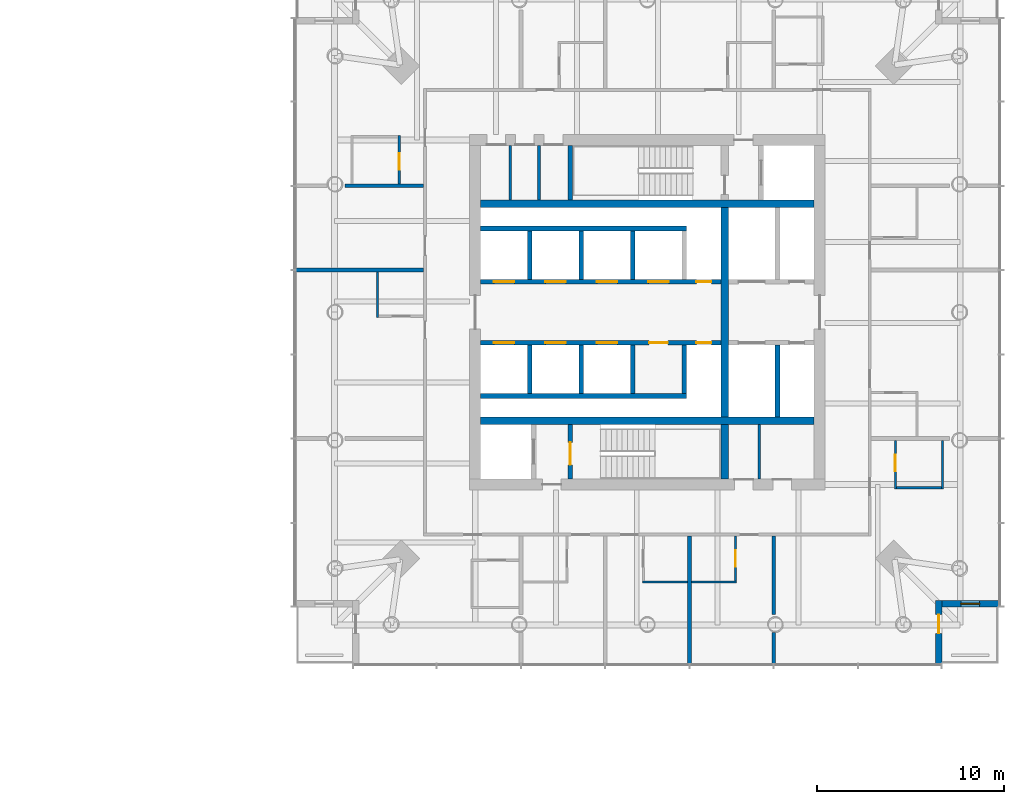
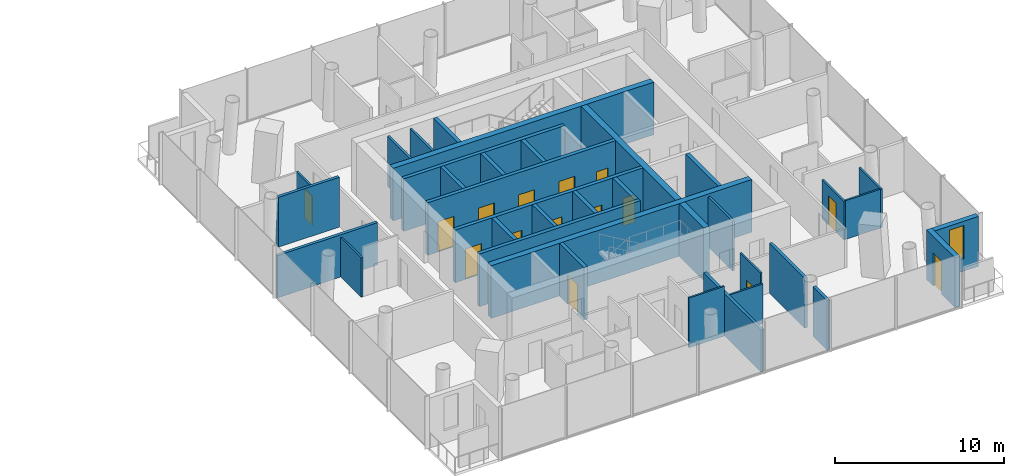
# One storey, part 13 of 18: 36 walls, 15 doors, 1 window, 16 openings.
"""IFC4 building model written with IfcOpenShell, lengths in metres."""

from ifc_helpers import new_model, si_unit, direction, frame, frame_2d, origin, place, context, subcontext, project, spatial, rectangle, extrude, material, layer, layer_set, type_object, element, fill, save


model = new_model("IFC4")

# Units and contexts
model_context = context("Model", 3, precision=1e-05, world=origin(), true_north=direction((0.0, 1.0)))
body_context = subcontext(model_context, "Body", "Model", "MODEL_VIEW")
ifc_project = project(units=[si_unit("LENGTHUNIT", "METRE"), si_unit("AREAUNIT", "SQUARE_METRE"), si_unit("VOLUMEUNIT", "CUBIC_METRE"), si_unit("PLANEANGLEUNIT", "RADIAN"), si_unit("MASSUNIT", "GRAM", prefix="KILO")], contexts=[model_context])

# Site, building, storey
site_placement = place(None, origin())
site = spatial("IfcSite", under=ifc_project, at=site_placement, CompositionType="ELEMENT")
building_placement = place(site_placement, origin())
building = spatial("IfcBuilding", under=site, at=building_placement, Name="Ostroluk Exchange", CompositionType="ELEMENT")
storey_placement = place(building_placement, frame((0.0, 0.0, 74.199951171875)))
storey = spatial("IfcBuildingStorey", under=building, at=storey_placement, Name="L18", CompositionType="ELEMENT", Elevation=74.199951171875)

# Walls
ifc_material_1 = material(Name="Concrete blockwork", Category="masonry")
ifc_layer_1 = layer(ifc_material_1, 0.14990234375)
ifc_layer_set_1 = layer_set([ifc_layer_1], Name="Blockwork plant room wall 150")
wall_type_1 = type_object("IfcWallType", Name="Blockwork plant room wall 150", PredefinedType="SOLIDWALL", material=ifc_layer_set_1)
for number, where, z_axis, x_axis, name in (
    (1, (122.97509765625, 37.10009765625, 0.0), (0.0, 0.0, 1.0), (0.0, 1.0, 0.0), "Core room wall"),
    (2, (109.680908203125, 52.0, 0.0), (0.0, 0.0, 1.0), (0.0, 1.0, 0.0), "Core room wall"),
    (3, (111.215576171875, 52.0, 0.0), (0.0, 0.0, 1.0), (0.0, 1.0, 0.0), "Core room wall"),
):
    element("IfcWall", number, at=place(storey_placement, frame(where, z_axis=z_axis, x_axis=x_axis)), inside=storey, type_object=wall_type_1, Name=name, PredefinedType="SOLIDWALL", context=body_context, shape_type="SweptSolid", body=[
        extrude(rectangle(XDim=2.89990234375, YDim=0.14990234375, at=frame_2d((1.449951171875, 0.0))), origin(), (0.0, 0.0, 1.0), 3.60009765625),
    ])
ifc_material_2 = material(Name="Concrete C50/60", Category="concrete")
ifc_layer_2 = layer(ifc_material_2, 0.39990234375)
ifc_layer_set_2 = layer_set([ifc_layer_2], Name="Core cross wall 400 C50/60")
wall_type_2 = type_object("IfcWallType", Name="Core cross wall 400 C50/60", PredefinedType="SHEAR", material=ifc_layer_set_2)
for number, where, z_axis, x_axis, name in (
    (4, (108.10009765625, 40.199951171875, 0.0), (0.0, 0.0, 1.0), (1.0, 0.0, 0.0), "T2 core wall XS"),
    (5, (108.10009765625, 51.800048828125, 0.0), (0.0, 0.0, 1.0), (1.0, 0.0, 0.0), "T2 core wall XN"),
):
    element("IfcWall", number, at=place(storey_placement, frame(where, z_axis=z_axis, x_axis=x_axis)), inside=storey, type_object=wall_type_2, Name=name, PredefinedType="SHEAR", context=body_context, shape_type="SweptSolid", body=[
        extrude(rectangle(XDim=17.7998046875, YDim=0.39990234375, at=frame_2d((8.89990234375, 0.0))), origin(), (0.0, 0.0, 1.0), 3.800048828125),
    ])
wall_1_placement = place(storey_placement, frame((121.1298828125, 37.10009765625, 0.0), z_axis=(0.0, 0.0, 1.0), x_axis=(0.0, 1.0, 0.0)))
element("IfcWall", 6, at=wall_1_placement, inside=storey, type_object=wall_type_2, Name="T2 core wall YE1", PredefinedType="SHEAR", context=body_context, shape_type="SweptSolid", body=[
    extrude(rectangle(XDim=2.89990234375, YDim=0.39990234375, at=frame_2d((1.449951171875, 0.0))), origin(), (0.0, 0.0, 1.0), 3.800048828125),
])
wall_2_placement = place(storey_placement, frame((121.1298828125, 40.39990234375, 0.0), z_axis=(0.0, 0.0, 1.0), x_axis=(0.0, 1.0, 0.0)))
element("IfcWall", 7, at=wall_2_placement, inside=storey, type_object=wall_type_2, Name="T2 core wall YE2", PredefinedType="SHEAR", context=body_context, shape_type="SweptSolid", body=[
    extrude(rectangle(XDim=11.2001953125, YDim=0.39990234375, at=frame_2d((5.60009765625, 0.0))), origin(), (0.0, 0.0, 1.0), 3.800048828125),
])

# Wall, opening, door
ifc_material_3 = material(Name="Concrete C40/50", Category="concrete")
ifc_layer_3 = layer(ifc_material_3, 0.25)
ifc_layer_set_3 = layer_set([ifc_layer_3], Name="Core shaft wall 250")
wall_type_3 = type_object("IfcWallType", Name="Core shaft wall 250", PredefinedType="SHEAR", material=ifc_layer_set_3)
wall_3_placement = place(storey_placement, frame((112.875, 37.10009765625, 0.0), z_axis=(0.0, 0.0, 1.0), x_axis=(0.0, 1.0, 0.0)))
wall_3 = element("IfcWall", 8, at=wall_3_placement, inside=storey, type_object=wall_type_3, Name="Stair shaft wall", PredefinedType="SHEAR", context=body_context, shape_type="SweptSolid", body=[
    extrude(rectangle(XDim=2.89990234375, YDim=0.25, at=frame_2d((1.449951171875, 0.0))), origin(), (0.0, 0.0, 1.0), 3.800048828125),
])
opening_1_placement = place(wall_3_placement, frame((0.75, 0.0, 0.0)))
opening_1 = element("IfcOpeningElement", 9, at=opening_1_placement, cuts=wall_3, Name="Opening FD60S", PredefinedType="OPENING", context=body_context, shape_type="SweptSolid", body=[
    extrude(rectangle(XDim=1.199951171875, YDim=2.10009765625, at=frame_2d((0.60009765625, 1.050048828125))), frame((0.0, 0.135009765625, 0.0), z_axis=(0.0, -1.0, 0.0), x_axis=(1.0, 0.0, 0.0)), (0.0, 0.0, 1.0), 0.27001953125),
])
ifc_material_4 = material(Name="Steel", Category="steel")
door_type_1 = type_object("IfcDoorType", Name="Stair door EI 60 1200 x 2100", OperationType="SINGLE_SWING_LEFT", PredefinedType="DOOR", material=ifc_material_4)
door_1_placement = place(opening_1_placement, origin())
door_1 = element("IfcDoor", 10, at=door_1_placement, inside=storey, type_object=door_type_1, Name="Stair T2-S1 door", OperationType="SINGLE_SWING_LEFT", OverallHeight=2.10009765625, OverallWidth=1.199951171875, PredefinedType="DOOR", context=body_context, shape_type="SweptSolid", body=[
    extrude(rectangle(XDim=1.199951171875, YDim=2.10009765625, at=frame_2d((0.60009765625, 1.050048828125))), frame((0.0, 0.02490234375, 0.0), z_axis=(0.0, -1.0, 0.0), x_axis=(1.0, 0.0, 0.0)), (0.0, 0.0, 1.0), 0.050048828125),
])
fill(opening_1, door_1)

# Walls
wall_4_placement = place(storey_placement, frame((112.875, 52.0, 0.0), z_axis=(0.0, 0.0, 1.0), x_axis=(0.0, 1.0, 0.0)))
element("IfcWall", 11, at=wall_4_placement, inside=storey, type_object=wall_type_3, Name="Stair shaft wall", PredefinedType="SHEAR", context=body_context, shape_type="SweptSolid", body=[
    extrude(rectangle(XDim=2.89990234375, YDim=0.25, at=frame_2d((1.449951171875, 0.0))), origin(), (0.0, 0.0, 1.0), 3.800048828125),
])
for number, where, z_axis, x_axis, name in (
    (12, (110.72509765625, 47.75, 0.0), (0.0, 0.0, 1.0), (0.0, 1.0, 0.0), "Lift shaft wall"),
    (13, (113.47509765625, 47.75, 0.0), (0.0, 0.0, 1.0), (0.0, 1.0, 0.0), "Lift shaft wall"),
    (14, (116.22509765625, 47.75, 0.0), (0.0, 0.0, 1.0), (0.0, 1.0, 0.0), "Lift shaft wall"),
):
    element("IfcWall", number, at=place(storey_placement, frame(where, z_axis=z_axis, x_axis=x_axis)), inside=storey, type_object=wall_type_3, Name=name, PredefinedType="SHEAR", context=body_context, shape_type="SweptSolid", body=[
        extrude(rectangle(XDim=2.60009765625, YDim=0.25, at=frame_2d((1.300048828125, 0.0))), origin(), (0.0, 0.0, 1.0), 3.800048828125),
    ])
wall_5_placement = place(storey_placement, frame((108.10009765625, 50.47509765625, 0.0), z_axis=(0.0, 0.0, 1.0), x_axis=(1.0, 0.0, 0.0)))
element("IfcWall", 15, at=wall_5_placement, inside=storey, type_object=wall_type_3, Name="Lift shaft wall", PredefinedType="SHEAR", context=body_context, shape_type="SweptSolid", body=[
    extrude(rectangle(XDim=11.0, YDim=0.25, at=frame_2d((5.5, 0.0))), origin(), (0.0, 0.0, 1.0), 3.800048828125),
])

# Wall, openings, doors
wall_6_placement = place(storey_placement, frame((108.10009765625, 47.625, 0.0), z_axis=(0.0, 0.0, 1.0), x_axis=(1.0, 0.0, 0.0)))
wall_6 = element("IfcWall", 16, at=wall_6_placement, inside=storey, type_object=wall_type_3, Name="Lift shaft front wall", PredefinedType="SHEAR", context=body_context, shape_type="SweptSolid", body=[
    extrude(rectangle(XDim=12.829833984375, YDim=0.25, at=frame_2d((6.4150390625, 0.0))), origin(), (0.0, 0.0, 1.0), 3.800048828125),
])
opening_2_placement = place(wall_6_placement, frame((0.699951171875, 0.0, 0.0)))
opening_2 = element("IfcOpeningElement", 17, at=opening_2_placement, cuts=wall_6, Name="Opening LD", PredefinedType="OPENING", context=body_context, shape_type="SweptSolid", body=[
    extrude(rectangle(XDim=1.10009765625, YDim=2.199951171875, at=frame_2d((0.550048828125, 1.10009765625))), frame((0.0, 0.135009765625, 0.0), z_axis=(0.0, -1.0, 0.0), x_axis=(1.0, 0.0, 0.0)), (0.0, 0.0, 1.0), 0.27001953125),
])
opening_3_placement = place(wall_6_placement, frame((3.449951171875, 0.0, 0.0)))
opening_3 = element("IfcOpeningElement", 18, at=opening_3_placement, cuts=wall_6, Name="Opening LD", PredefinedType="OPENING", context=body_context, shape_type="SweptSolid", body=[
    extrude(rectangle(XDim=1.10009765625, YDim=2.199951171875, at=frame_2d((0.550048828125, 1.10009765625))), frame((0.0, 0.135009765625, 0.0), z_axis=(0.0, -1.0, 0.0), x_axis=(1.0, 0.0, 0.0)), (0.0, 0.0, 1.0), 0.27001953125),
])
opening_4_placement = place(wall_6_placement, frame((6.199951171875, 0.0, 0.0)))
opening_4 = element("IfcOpeningElement", 19, at=opening_4_placement, cuts=wall_6, Name="Opening LD", PredefinedType="OPENING", context=body_context, shape_type="SweptSolid", body=[
    extrude(rectangle(XDim=1.10009765625, YDim=2.199951171875, at=frame_2d((0.550048828125, 1.10009765625))), frame((0.0, 0.135009765625, 0.0), z_axis=(0.0, -1.0, 0.0), x_axis=(1.0, 0.0, 0.0)), (0.0, 0.0, 1.0), 0.27001953125),
])
opening_5_placement = place(wall_6_placement, frame((8.949951171875, 0.0, 0.0)))
opening_5 = element("IfcOpeningElement", 20, at=opening_5_placement, cuts=wall_6, Name="Opening LD", PredefinedType="OPENING", context=body_context, shape_type="SweptSolid", body=[
    extrude(rectangle(XDim=1.10009765625, YDim=2.199951171875, at=frame_2d((0.550048828125, 1.10009765625))), frame((0.0, 0.135009765625, 0.0), z_axis=(0.0, -1.0, 0.0), x_axis=(1.0, 0.0, 0.0)), (0.0, 0.0, 1.0), 0.27001953125),
])
opening_6_placement = place(wall_6_placement, frame((11.514892578125, 0.0, 0.0)))
opening_6 = element("IfcOpeningElement", 21, at=opening_6_placement, cuts=wall_6, Name="Opening RD60", PredefinedType="OPENING", context=body_context, shape_type="SweptSolid", body=[
    extrude(rectangle(XDim=0.800048828125, YDim=2.0, at=frame_2d((0.39990234375, 1.0))), frame((0.0, 0.135009765625, 0.0), z_axis=(0.0, -1.0, 0.0), x_axis=(1.0, 0.0, 0.0)), (0.0, 0.0, 1.0), 0.27001953125),
])
ifc_material_5 = material(Name="Stainless steel", Category="steel")
door_type_2 = type_object("IfcDoorType", Name="Lift landing door E 60 1100 x 2200", OperationType="DOUBLE_DOOR_SLIDING", PredefinedType="DOOR", material=ifc_material_5)
door_2_placement = place(opening_2_placement, origin())
door_2 = element("IfcDoor", 22, at=door_2_placement, inside=storey, type_object=door_type_2, Name="Lift HL1 landing door", OperationType="DOUBLE_DOOR_SLIDING", OverallHeight=2.199951171875, OverallWidth=1.10009765625, PredefinedType="DOOR", context=body_context, shape_type="SweptSolid", body=[
    extrude(rectangle(XDim=1.10009765625, YDim=2.199951171875, at=frame_2d((0.550048828125, 1.10009765625))), frame((0.0, 0.02490234375, 0.0), z_axis=(0.0, -1.0, 0.0), x_axis=(1.0, 0.0, 0.0)), (0.0, 0.0, 1.0), 0.050048828125),
])
fill(opening_2, door_2)
door_3_placement = place(opening_3_placement, origin())
door_3 = element("IfcDoor", 23, at=door_3_placement, inside=storey, type_object=door_type_2, Name="Lift HL2 landing door", OperationType="DOUBLE_DOOR_SLIDING", OverallHeight=2.199951171875, OverallWidth=1.10009765625, PredefinedType="DOOR", context=body_context, shape_type="SweptSolid", body=[
    extrude(rectangle(XDim=1.10009765625, YDim=2.199951171875, at=frame_2d((0.550048828125, 1.10009765625))), frame((0.0, 0.02490234375, 0.0), z_axis=(0.0, -1.0, 0.0), x_axis=(1.0, 0.0, 0.0)), (0.0, 0.0, 1.0), 0.050048828125),
])
fill(opening_3, door_3)
door_4_placement = place(opening_4_placement, origin())
door_4 = element("IfcDoor", 24, at=door_4_placement, inside=storey, type_object=door_type_2, Name="Lift HL3 landing door", OperationType="DOUBLE_DOOR_SLIDING", OverallHeight=2.199951171875, OverallWidth=1.10009765625, PredefinedType="DOOR", context=body_context, shape_type="SweptSolid", body=[
    extrude(rectangle(XDim=1.10009765625, YDim=2.199951171875, at=frame_2d((0.550048828125, 1.10009765625))), frame((0.0, 0.02490234375, 0.0), z_axis=(0.0, -1.0, 0.0), x_axis=(1.0, 0.0, 0.0)), (0.0, 0.0, 1.0), 0.050048828125),
])
fill(opening_4, door_4)
door_5_placement = place(opening_5_placement, origin())
door_5 = element("IfcDoor", 25, at=door_5_placement, inside=storey, type_object=door_type_2, Name="Lift HL4 landing door", OperationType="DOUBLE_DOOR_SLIDING", OverallHeight=2.199951171875, OverallWidth=1.10009765625, PredefinedType="DOOR", context=body_context, shape_type="SweptSolid", body=[
    extrude(rectangle(XDim=1.10009765625, YDim=2.199951171875, at=frame_2d((0.550048828125, 1.10009765625))), frame((0.0, 0.02490234375, 0.0), z_axis=(0.0, -1.0, 0.0), x_axis=(1.0, 0.0, 0.0)), (0.0, 0.0, 1.0), 0.050048828125),
])
fill(opening_5, door_5)
ifc_material_6 = material(Name="Steel", Category="steel")
door_type_3 = type_object("IfcDoorType", Name="Riser access door EI 60 800 x 2000", OperationType="SINGLE_SWING_LEFT", PredefinedType="DOOR", material=ifc_material_6)
door_6_placement = place(opening_6_placement, origin())
door_6 = element("IfcDoor", 26, at=door_6_placement, inside=storey, type_object=door_type_3, Name="Riser access door", OperationType="SINGLE_SWING_RIGHT", OverallHeight=2.0, OverallWidth=0.800048828125, PredefinedType="DOOR", context=body_context, shape_type="SweptSolid", body=[
    extrude(rectangle(XDim=0.800048828125, YDim=2.0, at=frame_2d((0.39990234375, 1.0))), frame((0.0, 0.02490234375, 0.0), z_axis=(0.0, -1.0, 0.0), x_axis=(1.0, 0.0, 0.0)), (0.0, 0.0, 1.0), 0.050048828125),
])
fill(opening_6, door_6)

# Walls
for number, where, z_axis, x_axis, name in (
    (27, (110.72509765625, 44.25, 0.0), (0.0, 0.0, 1.0), (0.0, -1.0, 0.0), "Lift shaft wall"),
    (28, (113.47509765625, 44.25, 0.0), (0.0, 0.0, 1.0), (0.0, -1.0, 0.0), "Lift shaft wall"),
    (29, (116.22509765625, 44.25, 0.0), (0.0, 0.0, 1.0), (0.0, -1.0, 0.0), "Lift shaft wall"),
    (30, (118.97509765625, 44.25, 0.0), (0.0, 0.0, 1.0), (0.0, -1.0, 0.0), "Lift shaft wall"),
):
    element("IfcWall", number, at=place(storey_placement, frame(where, z_axis=z_axis, x_axis=x_axis)), inside=storey, type_object=wall_type_3, Name=name, PredefinedType="SHEAR", context=body_context, shape_type="SweptSolid", body=[
        extrude(rectangle(XDim=2.60009765625, YDim=0.25, at=frame_2d((1.300048828125, 0.0))), origin(), (0.0, 0.0, 1.0), 3.800048828125),
    ])
wall_7_placement = place(storey_placement, frame((108.10009765625, 41.52490234375, 0.0), z_axis=(0.0, 0.0, 1.0), x_axis=(1.0, 0.0, 0.0)))
element("IfcWall", 31, at=wall_7_placement, inside=storey, type_object=wall_type_3, Name="Lift shaft wall", PredefinedType="SHEAR", context=body_context, shape_type="SweptSolid", body=[
    extrude(rectangle(XDim=11.0, YDim=0.25, at=frame_2d((5.5, 0.0))), origin(), (0.0, 0.0, 1.0), 3.800048828125),
])

# Wall, openings, doors
wall_8_placement = place(storey_placement, frame((108.10009765625, 44.375, 0.0), z_axis=(0.0, 0.0, 1.0), x_axis=(1.0, 0.0, 0.0)))
wall_8 = element("IfcWall", 32, at=wall_8_placement, inside=storey, type_object=wall_type_3, Name="Lift shaft front wall", PredefinedType="SHEAR", context=body_context, shape_type="SweptSolid", body=[
    extrude(rectangle(XDim=12.829833984375, YDim=0.25, at=frame_2d((6.4150390625, 0.0))), origin(), (0.0, 0.0, 1.0), 3.800048828125),
])
opening_7_placement = place(wall_8_placement, frame((0.699951171875, 0.0, 0.0)))
opening_7 = element("IfcOpeningElement", 33, at=opening_7_placement, cuts=wall_8, Name="Opening LD", PredefinedType="OPENING", context=body_context, shape_type="SweptSolid", body=[
    extrude(rectangle(XDim=1.10009765625, YDim=2.199951171875, at=frame_2d((0.550048828125, 1.10009765625))), frame((0.0, 0.135009765625, 0.0), z_axis=(0.0, -1.0, 0.0), x_axis=(1.0, 0.0, 0.0)), (0.0, 0.0, 1.0), 0.27001953125),
])
opening_8_placement = place(wall_8_placement, frame((3.449951171875, 0.0, 0.0)))
opening_8 = element("IfcOpeningElement", 34, at=opening_8_placement, cuts=wall_8, Name="Opening LD", PredefinedType="OPENING", context=body_context, shape_type="SweptSolid", body=[
    extrude(rectangle(XDim=1.10009765625, YDim=2.199951171875, at=frame_2d((0.550048828125, 1.10009765625))), frame((0.0, 0.135009765625, 0.0), z_axis=(0.0, -1.0, 0.0), x_axis=(1.0, 0.0, 0.0)), (0.0, 0.0, 1.0), 0.27001953125),
])
opening_9_placement = place(wall_8_placement, frame((6.199951171875, 0.0, 0.0)))
opening_9 = element("IfcOpeningElement", 35, at=opening_9_placement, cuts=wall_8, Name="Opening LD", PredefinedType="OPENING", context=body_context, shape_type="SweptSolid", body=[
    extrude(rectangle(XDim=1.10009765625, YDim=2.199951171875, at=frame_2d((0.550048828125, 1.10009765625))), frame((0.0, 0.135009765625, 0.0), z_axis=(0.0, -1.0, 0.0), x_axis=(1.0, 0.0, 0.0)), (0.0, 0.0, 1.0), 0.27001953125),
])
opening_10_placement = place(wall_8_placement, frame((9.0, 0.0, 0.0)))
opening_10 = element("IfcOpeningElement", 36, at=opening_10_placement, cuts=wall_8, Name="Opening FD60", PredefinedType="OPENING", context=body_context, shape_type="SweptSolid", body=[
    extrude(rectangle(XDim=1.0, YDim=2.10009765625, at=frame_2d((0.5, 1.050048828125))), frame((0.0, 0.135009765625, 0.0), z_axis=(0.0, -1.0, 0.0), x_axis=(1.0, 0.0, 0.0)), (0.0, 0.0, 1.0), 0.27001953125),
])
opening_11_placement = place(wall_8_placement, frame((11.514892578125, 0.0, 0.0)))
opening_11 = element("IfcOpeningElement", 37, at=opening_11_placement, cuts=wall_8, Name="Opening RD60", PredefinedType="OPENING", context=body_context, shape_type="SweptSolid", body=[
    extrude(rectangle(XDim=0.800048828125, YDim=2.0, at=frame_2d((0.39990234375, 1.0))), frame((0.0, 0.135009765625, 0.0), z_axis=(0.0, -1.0, 0.0), x_axis=(1.0, 0.0, 0.0)), (0.0, 0.0, 1.0), 0.27001953125),
])
ifc_material_7 = material(Name="Steel", Category="steel")
door_type_4 = type_object("IfcDoorType", Name="Fire door EI 60 1000 x 2100", OperationType="SINGLE_SWING_LEFT", PredefinedType="DOOR", material=ifc_material_7)
door_7_placement = place(opening_10_placement, origin())
door_7 = element("IfcDoor", 38, at=door_7_placement, inside=storey, type_object=door_type_4, Name="Core room door", OperationType="SINGLE_SWING_RIGHT", OverallHeight=2.10009765625, OverallWidth=1.0, PredefinedType="DOOR", context=body_context, shape_type="SweptSolid", body=[
    extrude(rectangle(XDim=1.0, YDim=2.10009765625, at=frame_2d((0.5, 1.050048828125))), frame((0.0, 0.02490234375, 0.0), z_axis=(0.0, -1.0, 0.0), x_axis=(1.0, 0.0, 0.0)), (0.0, 0.0, 1.0), 0.050048828125),
])
fill(opening_10, door_7)
door_8_placement = place(opening_7_placement, origin())
door_8 = element("IfcDoor", 39, at=door_8_placement, inside=storey, type_object=door_type_2, Name="Lift HL5 landing door", OperationType="DOUBLE_DOOR_SLIDING", OverallHeight=2.199951171875, OverallWidth=1.10009765625, PredefinedType="DOOR", context=body_context, shape_type="SweptSolid", body=[
    extrude(rectangle(XDim=1.10009765625, YDim=2.199951171875, at=frame_2d((0.550048828125, 1.10009765625))), frame((0.0, 0.02490234375, 0.0), z_axis=(0.0, -1.0, 0.0), x_axis=(1.0, 0.0, 0.0)), (0.0, 0.0, 1.0), 0.050048828125),
])
fill(opening_7, door_8)
door_9_placement = place(opening_8_placement, origin())
door_9 = element("IfcDoor", 40, at=door_9_placement, inside=storey, type_object=door_type_2, Name="Lift HL6 landing door", OperationType="DOUBLE_DOOR_SLIDING", OverallHeight=2.199951171875, OverallWidth=1.10009765625, PredefinedType="DOOR", context=body_context, shape_type="SweptSolid", body=[
    extrude(rectangle(XDim=1.10009765625, YDim=2.199951171875, at=frame_2d((0.550048828125, 1.10009765625))), frame((0.0, 0.02490234375, 0.0), z_axis=(0.0, -1.0, 0.0), x_axis=(1.0, 0.0, 0.0)), (0.0, 0.0, 1.0), 0.050048828125),
])
fill(opening_8, door_9)
door_10_placement = place(opening_9_placement, origin())
door_10 = element("IfcDoor", 41, at=door_10_placement, inside=storey, type_object=door_type_2, Name="Lift HL7 landing door", OperationType="DOUBLE_DOOR_SLIDING", OverallHeight=2.199951171875, OverallWidth=1.10009765625, PredefinedType="DOOR", context=body_context, shape_type="SweptSolid", body=[
    extrude(rectangle(XDim=1.10009765625, YDim=2.199951171875, at=frame_2d((0.550048828125, 1.10009765625))), frame((0.0, 0.02490234375, 0.0), z_axis=(0.0, -1.0, 0.0), x_axis=(1.0, 0.0, 0.0)), (0.0, 0.0, 1.0), 0.050048828125),
])
fill(opening_9, door_10)
door_11_placement = place(opening_11_placement, origin())
door_11 = element("IfcDoor", 42, at=door_11_placement, inside=storey, type_object=door_type_3, Name="Riser access door", OperationType="SINGLE_SWING_RIGHT", OverallHeight=2.0, OverallWidth=0.800048828125, PredefinedType="DOOR", context=body_context, shape_type="SweptSolid", body=[
    extrude(rectangle(XDim=0.800048828125, YDim=2.0, at=frame_2d((0.39990234375, 1.0))), frame((0.0, 0.02490234375, 0.0), z_axis=(0.0, -1.0, 0.0), x_axis=(1.0, 0.0, 0.0)), (0.0, 0.0, 1.0), 0.050048828125),
])
fill(opening_11, door_11)

# Wall
wall_9_placement = place(storey_placement, frame((123.955078125, 44.25, 0.0), z_axis=(0.0, 0.0, 1.0), x_axis=(0.0, -1.0, 0.0)))
element("IfcWall", 43, at=wall_9_placement, inside=storey, type_object=wall_type_3, Name="Lift shaft wall", PredefinedType="SHEAR", context=body_context, shape_type="SweptSolid", body=[
    extrude(rectangle(XDim=3.85009765625, YDim=0.25, at=frame_2d((1.925048828125, 0.0))), origin(), (0.0, 0.0, 1.0), 3.800048828125),
])

# Wall, opening, door
ifc_material_8 = material(Name="Limestone", Category="masonry")
ifc_layer_4 = layer(ifc_material_8, 0.35009765625)
ifc_layer_set_4 = layer_set([ifc_layer_4], Name="Limestone facade wall 350")
wall_type_4 = type_object("IfcWallType", Name="Limestone facade wall 350", PredefinedType="SOLIDWALL", material=ifc_layer_set_4)
wall_10_placement = place(storey_placement, frame((132.574951171875, 27.25, 0.0), z_axis=(0.0, 0.0, 1.0), x_axis=(0.0, 1.0, 0.0)))
wall_10 = element("IfcWall", 44, at=wall_10_placement, inside=storey, type_object=wall_type_4, Name="Hotel tower SE corner wall L18 a", PredefinedType="SOLIDWALL", context=body_context, shape_type="SweptSolid", body=[
    extrude(rectangle(XDim=3.35009765625, YDim=0.35009765625, at=frame_2d((1.675048828125, 0.0))), origin(), (0.0, 0.0, 1.0), 3.60009765625),
])
opening_12_placement = place(wall_10_placement, frame((1.60009765625, 0.0, 0.0)))
opening_12 = element("IfcOpeningElement", 45, at=opening_12_placement, cuts=wall_10, Name="Opening D-B1", PredefinedType="OPENING", context=body_context, shape_type="SweptSolid", body=[
    extrude(rectangle(XDim=1.0, YDim=2.39990234375, at=frame_2d((0.5, 1.199951171875))), frame((0.0, 0.18505859375, 0.0), z_axis=(0.0, -1.0, 0.0), x_axis=(1.0, 0.0, 0.0)), (0.0, 0.0, 1.0), 0.3701171875),
])
ifc_material_9 = material(Name="Bronze framed glazed door", Category="aluminium")
door_type_5 = type_object("IfcDoorType", Name="Balcony door 1000 x 2400", OperationType="SINGLE_SWING_LEFT", PredefinedType="DOOR", material=ifc_material_9)
door_12_placement = place(opening_12_placement, origin())
door_12 = element("IfcDoor", 46, at=door_12_placement, inside=storey, type_object=door_type_5, Name="Hotel tower SE balcony door L18", OperationType="SINGLE_SWING_RIGHT", OverallHeight=2.39990234375, OverallWidth=1.0, PredefinedType="DOOR", context=body_context, shape_type="SweptSolid", body=[
    extrude(rectangle(XDim=1.0, YDim=2.39990234375, at=frame_2d((0.5, 1.199951171875))), frame((0.0, 0.02490234375, 0.0), z_axis=(0.0, -1.0, 0.0), x_axis=(1.0, 0.0, 0.0)), (0.0, 0.0, 1.0), 0.050048828125),
])
fill(opening_12, door_12)

# Wall, opening, window
wall_11_placement = place(storey_placement, frame((132.75, 30.425048828125, 0.0), z_axis=(0.0, 0.0, 1.0), x_axis=(1.0, 0.0, 0.0)))
wall_11 = element("IfcWall", 47, at=wall_11_placement, inside=storey, type_object=wall_type_4, Name="Hotel tower SE corner wall L18 b", PredefinedType="SOLIDWALL", context=body_context, shape_type="SweptSolid", body=[
    extrude(rectangle(XDim=3.0, YDim=0.35009765625, at=frame_2d((1.5, 0.0))), origin(), (0.0, 0.0, 1.0), 3.60009765625),
])
opening_13_placement = place(wall_11_placement, frame((1.0, 0.0, 0.89990234375)))
opening_13 = element("IfcOpeningElement", 48, at=opening_13_placement, cuts=wall_11, Name="Opening WN-L3", PredefinedType="OPENING", context=body_context, shape_type="SweptSolid", body=[
    extrude(rectangle(XDim=1.0, YDim=2.39990234375, at=frame_2d((0.5, 1.199951171875))), frame((0.0, 0.18505859375, 0.0), z_axis=(0.0, -1.0, 0.0), x_axis=(1.0, 0.0, 0.0)), (0.0, 0.0, 1.0), 0.3701171875),
])
ifc_material_10 = material(Name="Laminated clear glass", Category="glass")
window_type = type_object("IfcWindowType", Name="Hotel lancet window 1000 x 2400", PartitioningType="SINGLE_PANEL", PredefinedType="WINDOW", material=ifc_material_10)
window_placement = place(opening_13_placement, origin())
window = element("IfcWindow", 49, at=window_placement, inside=storey, type_object=window_type, Name="Hotel tower SE lancet window L18", OverallHeight=2.39990234375, OverallWidth=1.0, PartitioningType="SINGLE_PANEL", PredefinedType="WINDOW", context=body_context, shape_type="SweptSolid", body=[
    extrude(rectangle(XDim=1.0, YDim=2.39990234375, at=frame_2d((0.5, 1.199951171875))), frame((0.0, 0.030029296875, 0.0), z_axis=(0.0, -1.0, 0.0), x_axis=(1.0, 0.0, 0.0)), (0.0, 0.0, 1.0), 0.06005859375),
])
fill(opening_13, window)

# Wall, opening, door
ifc_material_11 = material(Name="Gypsum plasterboard partition, moisture resistant", Category="gypsum")
ifc_layer_5 = layer(ifc_material_11, 0.1201171875)
ifc_layer_set_5 = layer_set([ifc_layer_5], Name="Plasterboard en-suite wall 120")
wall_type_5 = type_object("IfcWallType", Name="Plasterboard en-suite wall 120", PredefinedType="PARTITIONING", material=ifc_layer_set_5)
wall_12_placement = place(storey_placement, frame((130.25, 39.14990234375, 0.0), z_axis=(0.0, 0.0, 1.0), x_axis=(0.0, -1.0, 0.0)))
wall_12 = element("IfcWall", 50, at=wall_12_placement, inside=storey, type_object=wall_type_5, Name="En-suite wall", PredefinedType="PARTITIONING", context=body_context, shape_type="SweptSolid", body=[
    extrude(rectangle(XDim=2.579833984375, YDim=0.1201171875, at=frame_2d((1.2900390625, 0.0))), origin(), (0.0, 0.0, 1.0), 2.800048828125),
])
opening_14_placement = place(wall_12_placement, frame((0.75, 0.0, 0.0)))
opening_14 = element("IfcOpeningElement", 51, at=opening_14_placement, cuts=wall_12, Name="Opening D-02", PredefinedType="OPENING", context=body_context, shape_type="SweptSolid", body=[
    extrude(rectangle(XDim=0.89990234375, YDim=2.10009765625, at=frame_2d((0.449951171875, 1.050048828125))), frame((0.0, 0.070068359375, 0.0), z_axis=(0.0, -1.0, 0.0), x_axis=(1.0, 0.0, 0.0)), (0.0, 0.0, 1.0), 0.14013671875),
])
ifc_material_12 = material(Name="Timber", Category="wood")
door_type_6 = type_object("IfcDoorType", Name="En-suite door 900 x 2100", OperationType="SINGLE_SWING_LEFT", PredefinedType="DOOR", material=ifc_material_12)
door_13_placement = place(opening_14_placement, origin())
door_13 = element("IfcDoor", 52, at=door_13_placement, inside=storey, type_object=door_type_6, Name="En-suite door 1801", OperationType="SINGLE_SWING_LEFT", OverallHeight=2.10009765625, OverallWidth=0.89990234375, PredefinedType="DOOR", context=body_context, shape_type="SweptSolid", body=[
    extrude(rectangle(XDim=0.89990234375, YDim=2.10009765625, at=frame_2d((0.449951171875, 1.050048828125))), frame((0.0, 0.02490234375, 0.0), z_axis=(0.0, -1.0, 0.0), x_axis=(1.0, 0.0, 0.0)), (0.0, 0.0, 1.0), 0.050048828125),
])
fill(opening_14, door_13)

# Walls
wall_13_placement = place(storey_placement, frame((132.77001953125, 39.14990234375, 0.0), z_axis=(0.0, 0.0, 1.0), x_axis=(0.0, -1.0, 0.0)))
element("IfcWall", 53, at=wall_13_placement, inside=storey, type_object=wall_type_5, Name="En-suite wall", PredefinedType="PARTITIONING", context=body_context, shape_type="SweptSolid", body=[
    extrude(rectangle(XDim=2.579833984375, YDim=0.1201171875, at=frame_2d((1.2900390625, 0.0))), origin(), (0.0, 0.0, 1.0), 2.800048828125),
])
wall_14_placement = place(storey_placement, frame((130.31005859375, 36.6298828125, 0.0), z_axis=(0.0, 0.0, 1.0), x_axis=(1.0, 0.0, 0.0)))
element("IfcWall", 54, at=wall_14_placement, inside=storey, type_object=wall_type_5, Name="En-suite wall", PredefinedType="PARTITIONING", context=body_context, shape_type="SweptSolid", body=[
    extrude(rectangle(XDim=2.39990234375, YDim=0.1201171875, at=frame_2d((1.199951171875, 0.0))), origin(), (0.0, 0.0, 1.0), 2.800048828125),
])

# Wall, opening, door
wall_15_placement = place(storey_placement, frame((103.75, 52.85009765625, 0.0), z_axis=(0.0, 0.0, 1.0), x_axis=(0.0, 1.0, 0.0)))
wall_15 = element("IfcWall", 55, at=wall_15_placement, inside=storey, type_object=wall_type_5, Name="En-suite wall", PredefinedType="PARTITIONING", context=body_context, shape_type="SweptSolid", body=[
    extrude(rectangle(XDim=2.579833984375, YDim=0.1201171875, at=frame_2d((1.2900390625, 0.0))), origin(), (0.0, 0.0, 1.0), 2.800048828125),
])
opening_15_placement = place(wall_15_placement, frame((0.75, 0.0, 0.0)))
opening_15 = element("IfcOpeningElement", 56, at=opening_15_placement, cuts=wall_15, Name="Opening D-02", PredefinedType="OPENING", context=body_context, shape_type="SweptSolid", body=[
    extrude(rectangle(XDim=0.89990234375, YDim=2.10009765625, at=frame_2d((0.449951171875, 1.050048828125))), frame((0.0, 0.070068359375, 0.0), z_axis=(0.0, -1.0, 0.0), x_axis=(1.0, 0.0, 0.0)), (0.0, 0.0, 1.0), 0.14013671875),
])
door_14_placement = place(opening_15_placement, origin())
door_14 = element("IfcDoor", 57, at=door_14_placement, inside=storey, type_object=door_type_6, Name="En-suite door 1807", OperationType="SINGLE_SWING_LEFT", OverallHeight=2.10009765625, OverallWidth=0.89990234375, PredefinedType="DOOR", context=body_context, shape_type="SweptSolid", body=[
    extrude(rectangle(XDim=0.89990234375, YDim=2.10009765625, at=frame_2d((0.449951171875, 1.050048828125))), frame((0.0, 0.02490234375, 0.0), z_axis=(0.0, -1.0, 0.0), x_axis=(1.0, 0.0, 0.0)), (0.0, 0.0, 1.0), 0.050048828125),
])
fill(opening_15, door_14)

# Walls
wall_16_placement = place(storey_placement, frame((102.590087890625, 48.14990234375, 0.0), z_axis=(0.0, 0.0, 1.0), x_axis=(0.0, -1.0, 0.0)))
element("IfcWall", 58, at=wall_16_placement, inside=storey, type_object=wall_type_5, Name="En-suite wall", PredefinedType="PARTITIONING", context=body_context, shape_type="SweptSolid", body=[
    extrude(rectangle(XDim=2.419921875, YDim=0.1201171875, at=frame_2d((1.2099609375, 0.0))), origin(), (0.0, 0.0, 1.0), 2.84716796875),
])
wall_17_placement = place(storey_placement, frame((116.72998046875, 31.590087890625, 0.0), z_axis=(0.0, 0.0, 1.0), x_axis=(1.0, 0.0, 0.0)))
element("IfcWall", 59, at=wall_17_placement, inside=storey, type_object=wall_type_5, Name="En-suite wall", PredefinedType="PARTITIONING", context=body_context, shape_type="SweptSolid", body=[
    extrude(rectangle(XDim=2.419921875, YDim=0.1201171875, at=frame_2d((1.2099609375, 0.0))), origin(), (0.0, 0.0, 1.0), 3.60009765625),
])
wall_18_placement = place(storey_placement, frame((119.35009765625, 31.590087890625, 0.0), z_axis=(0.0, 0.0, 1.0), x_axis=(1.0, 0.0, 0.0)))
element("IfcWall", 60, at=wall_18_placement, inside=storey, type_object=wall_type_5, Name="En-suite wall", PredefinedType="PARTITIONING", context=body_context, shape_type="SweptSolid", body=[
    extrude(rectangle(XDim=2.419921875, YDim=0.1201171875, at=frame_2d((1.2099609375, 0.0))), origin(), (0.0, 0.0, 1.0), 2.84716796875),
])

# Wall, opening, door
wall_19_placement = place(storey_placement, frame((121.7099609375, 34.050048828125, 0.0), z_axis=(0.0, 0.0, 1.0), x_axis=(0.0, -1.0, 0.0)))
wall_19 = element("IfcWall", 61, at=wall_19_placement, inside=storey, type_object=wall_type_5, Name="En-suite wall", PredefinedType="PARTITIONING", context=body_context, shape_type="SweptSolid", body=[
    extrude(rectangle(XDim=2.400146484375, YDim=0.1201171875, at=frame_2d((1.2001953125, 0.0))), origin(), (0.0, 0.0, 1.0), 3.60009765625),
])
opening_16_placement = place(wall_19_placement, frame((0.75, 0.0, 0.0)))
opening_16 = element("IfcOpeningElement", 62, at=opening_16_placement, cuts=wall_19, Name="Opening D-02", PredefinedType="OPENING", context=body_context, shape_type="SweptSolid", body=[
    extrude(rectangle(XDim=0.89990234375, YDim=2.10009765625, at=frame_2d((0.449951171875, 1.050048828125))), frame((0.0, 0.070068359375, 0.0), z_axis=(0.0, -1.0, 0.0), x_axis=(1.0, 0.0, 0.0)), (0.0, 0.0, 1.0), 0.14013671875),
])
door_15_placement = place(opening_16_placement, origin())
door_15 = element("IfcDoor", 63, at=door_15_placement, inside=storey, type_object=door_type_6, Name="En-suite door 1812", OperationType="SINGLE_SWING_RIGHT", OverallHeight=2.10009765625, OverallWidth=0.89990234375, PredefinedType="DOOR", context=body_context, shape_type="SweptSolid", body=[
    extrude(rectangle(XDim=0.89990234375, YDim=2.10009765625, at=frame_2d((0.449951171875, 1.050048828125))), frame((0.0, 0.02490234375, 0.0), z_axis=(0.0, -1.0, 0.0), x_axis=(1.0, 0.0, 0.0)), (0.0, 0.0, 1.0), 0.050048828125),
])
fill(opening_16, door_15)

# Walls
ifc_material_13 = material(Name="Gypsum plasterboard partition", Category="gypsum")
ifc_layer_6 = layer(ifc_material_13, 0.199951171875)
ifc_layer_set_6 = layer_set([ifc_layer_6], Name="Plasterboard party wall 200")
wall_type_6 = type_object("IfcWallType", Name="Plasterboard party wall 200", PredefinedType="PARTITIONING", material=ifc_layer_set_6)
wall_20_placement = place(storey_placement, frame((105.050048828125, 52.75, 0.0), z_axis=(0.0, 0.0, 1.0), x_axis=(-1.0, 0.0, 0.0)))
element("IfcWall", 64, at=wall_20_placement, inside=storey, type_object=wall_type_6, Name="Party wall", PredefinedType="PARTITIONING", context=body_context, shape_type="SweptSolid", body=[
    extrude(rectangle(XDim=4.186767578125, YDim=0.199951171875, at=frame_2d((2.09326171875, 0.0))), origin(), (0.0, 0.0, 1.0), 3.60009765625),
])
for number, where, z_axis, x_axis, name in (
    (65, (105.050048828125, 48.25, 0.0), (0.0, 0.0, 1.0), (-1.0, 0.0, 0.0), "Party wall"),
    (66, (119.25, 34.050048828125, 0.0), (0.0, 0.0, 1.0), (0.0, -1.0, 0.0), "Party wall"),
):
    element("IfcWall", number, at=place(storey_placement, frame(where, z_axis=z_axis, x_axis=x_axis)), inside=storey, type_object=wall_type_6, Name=name, PredefinedType="PARTITIONING", context=body_context, shape_type="SweptSolid", body=[
        extrude(rectangle(XDim=6.840087890625, YDim=0.199951171875, at=frame_2d((3.419921875, 0.0))), origin(), (0.0, 0.0, 1.0), 3.050048828125),
    ])
wall_21_placement = place(storey_placement, frame((123.75, 34.050048828125, 0.0), z_axis=(0.0, 0.0, 1.0), x_axis=(0.0, -1.0, 0.0)))
element("IfcWall", 67, at=wall_21_placement, inside=storey, type_object=wall_type_6, Name="Party wall", PredefinedType="PARTITIONING", context=body_context, shape_type="SweptSolid", body=[
    extrude(rectangle(XDim=4.186767578125, YDim=0.199951171875, at=frame_2d((2.09326171875, 0.0))), origin(), (0.0, 0.0, 1.0), 3.60009765625),
])
wall_22_placement = place(storey_placement, frame((123.75, 28.88671875, 0.0), z_axis=(0.0, 0.0, 1.0), x_axis=(0.0, -1.0, 0.0)))
element("IfcWall", 68, at=wall_22_placement, inside=storey, type_object=wall_type_6, Name="Party wall", PredefinedType="PARTITIONING", context=body_context, shape_type="SweptSolid", body=[
    extrude(rectangle(XDim=1.6767578125, YDim=0.199951171875, at=frame_2d((0.83837890625, 0.0))), origin(), (0.0, 0.0, 1.0), 3.60009765625),
])

save(model, "model.ifc")
